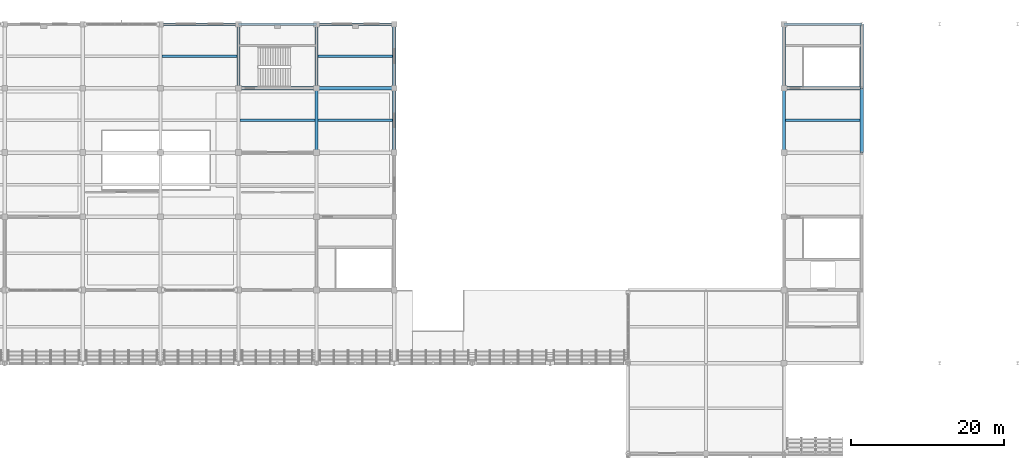
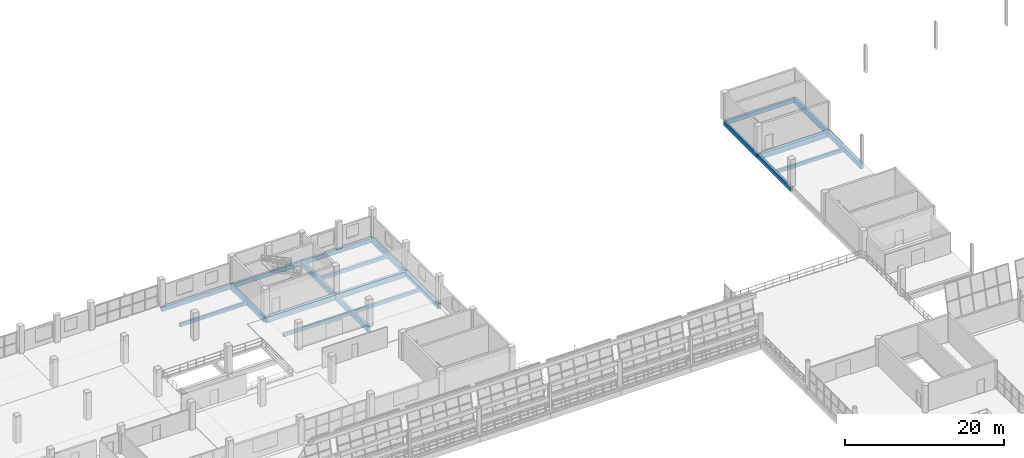
# One storey, part 98 of 157: 21 beams.
"""IFC4 building model written with IfcOpenShell, lengths in metres."""

from ifc_helpers import new_model, si_unit, direction, frame, origin, origin_2d, place, context, subcontext, project, spatial, rectangle, extrude, material, material_profile, profile_set, type_object, element, save


model = new_model("IFC4")

# Units and contexts
model_context = context("Model", 3, precision=1e-05, world=origin(), true_north=direction((0.0, 1.0)))
body_context = subcontext(model_context, "Body", "Model", "MODEL_VIEW")
ifc_project = project(units=[si_unit("LENGTHUNIT", "METRE"), si_unit("AREAUNIT", "SQUARE_METRE"), si_unit("VOLUMEUNIT", "CUBIC_METRE"), si_unit("PLANEANGLEUNIT", "RADIAN"), si_unit("MASSUNIT", "GRAM", prefix="KILO")], contexts=[model_context])

# Site, building, storey
site_placement = place(None, origin())
site = spatial("IfcSite", under=ifc_project, at=site_placement, CompositionType="ELEMENT")
building_placement = place(site_placement, origin())
building = spatial("IfcBuilding", under=site, at=building_placement, Name="Brelvane Convention Centre", CompositionType="ELEMENT")
storey_placement = place(building_placement, frame((0.0, 0.0, 10.800048828125)))
storey = spatial("IfcBuildingStorey", under=building, at=storey_placement, Name="L02", CompositionType="ELEMENT", Elevation=10.800048828125)

# Beams
ifc_material_1 = material(Name="Concrete M40", Category="concrete")
ifc_material_profile_1 = material_profile(ifc_material_1, rectangle(XDim=0.4599609375, YDim=0.840087890625, at=origin_2d()), Name="RC 460x840")
ifc_profile_set_1 = profile_set([ifc_material_profile_1], Name="Concrete M40")
beam_type_1 = type_object("IfcBeamType", Name="RC Beam B-RC11 (RC 460x840)", PredefinedType="BEAM", material=ifc_profile_set_1)
for number, where, z_axis, x_axis, name in (
    (1, (91.800048828125, 135.60009765625, -0.699951171875), (1.0, 0.0, 0.0), (0.0, 1.0, 0.0), "L02 Beam 10-11/P"),
    (2, (102.0, 135.60009765625, -0.699951171875), (1.0, 0.0, 0.0), (0.0, 1.0, 0.0), "L02 Beam 11-12/P"),
    (3, (163.199951171875, 135.60009765625, -0.699951171875), (1.0, 0.0, 0.0), (0.0, 1.0, 0.0), "L02 Beam 17-18/P"),
):
    element("IfcBeam", number, at=place(storey_placement, frame(where, z_axis=z_axis, x_axis=x_axis)), inside=storey, type_object=beam_type_1, Name=name, PredefinedType="BEAM", context=body_context, shape_type="SweptSolid", body=[
        extrude(rectangle(XDim=0.4599609375, YDim=0.840087890625, at=origin_2d()), origin(), (0.0, 0.0, 1.0), 10.199951171875),
    ])
ifc_material_2 = material(Name="Concrete M40", Category="concrete")
ifc_material_profile_2 = material_profile(ifc_material_2, rectangle(XDim=0.419921875, YDim=0.780029296875, at=origin_2d()), Name="RC 420x780")
ifc_profile_set_2 = profile_set([ifc_material_profile_2], Name="Concrete M40")
beam_type_2 = type_object("IfcBeamType", Name="RC Beam B-RC12 (RC 420x780)", PredefinedType="BEAM", material=ifc_profile_set_2)
beam_1_placement = place(storey_placement, frame((91.800048828125, 135.60009765625, -0.670166015625), z_axis=(0.0, 1.0, 0.0), x_axis=(-1.0, 0.0, 0.0)))
element("IfcBeam", 4, at=beam_1_placement, inside=storey, type_object=beam_type_2, Name="L02 Girder 10/P-Q", PredefinedType="BEAM", context=body_context, shape_type="SweptSolid", body=[
    extrude(rectangle(XDim=0.419921875, YDim=0.780029296875, at=origin_2d()), origin(), (0.0, 0.0, 1.0), 8.39990234375),
])
beam_2_placement = place(storey_placement, frame((102.0, 127.199951171875, -0.670166015625), z_axis=(0.0, 1.0, 0.0), x_axis=(-1.0, 0.0, 0.0)))
element("IfcBeam", 5, at=beam_2_placement, inside=storey, type_object=beam_type_2, Name="L02 Girder 11/N-P", PredefinedType="BEAM", context=body_context, shape_type="SweptSolid", body=[
    extrude(rectangle(XDim=0.419921875, YDim=0.780029296875, at=origin_2d()), origin(), (0.0, 0.0, 1.0), 8.400146484375),
])
beam_3_placement = place(storey_placement, frame((102.0, 135.60009765625, -0.670166015625), z_axis=(0.0, 1.0, 0.0), x_axis=(-1.0, 0.0, 0.0)))
element("IfcBeam", 6, at=beam_3_placement, inside=storey, type_object=beam_type_2, Name="L02 Girder 11/P-Q", PredefinedType="BEAM", context=body_context, shape_type="SweptSolid", body=[
    extrude(rectangle(XDim=0.419921875, YDim=0.780029296875, at=origin_2d()), origin(), (0.0, 0.0, 1.0), 8.39990234375),
])
beam_4_placement = place(storey_placement, frame((112.199951171875, 127.199951171875, -0.670166015625), z_axis=(0.0, 1.0, 0.0), x_axis=(-1.0, 0.0, 0.0)))
element("IfcBeam", 7, at=beam_4_placement, inside=storey, type_object=beam_type_2, Name="L02 Girder 12/N-P", PredefinedType="BEAM", context=body_context, shape_type="SweptSolid", body=[
    extrude(rectangle(XDim=0.419921875, YDim=0.780029296875, at=origin_2d()), origin(), (0.0, 0.0, 1.0), 8.400146484375),
])
beam_5_placement = place(storey_placement, frame((112.199951171875, 135.60009765625, -0.670166015625), z_axis=(0.0, 1.0, 0.0), x_axis=(-1.0, 0.0, 0.0)))
element("IfcBeam", 8, at=beam_5_placement, inside=storey, type_object=beam_type_2, Name="L02 Girder 12/P-Q", PredefinedType="BEAM", context=body_context, shape_type="SweptSolid", body=[
    extrude(rectangle(XDim=0.419921875, YDim=0.780029296875, at=origin_2d()), origin(), (0.0, 0.0, 1.0), 8.39990234375),
])
beam_6_placement = place(storey_placement, frame((173.39990234375, 127.199951171875, -0.670166015625), z_axis=(0.0, 1.0, 0.0), x_axis=(-1.0, 0.0, 0.0)))
element("IfcBeam", 9, at=beam_6_placement, inside=storey, type_object=beam_type_2, Name="L02 Girder 18/N-P", PredefinedType="BEAM", context=body_context, shape_type="SweptSolid", body=[
    extrude(rectangle(XDim=0.419921875, YDim=0.780029296875, at=origin_2d()), origin(), (0.0, 0.0, 1.0), 8.400146484375),
])
beam_7_placement = place(storey_placement, frame((173.39990234375, 135.60009765625, -0.670166015625), z_axis=(0.0, 1.0, 0.0), x_axis=(-1.0, 0.0, 0.0)))
element("IfcBeam", 10, at=beam_7_placement, inside=storey, type_object=beam_type_2, Name="L02 Girder 18/P-Q", PredefinedType="BEAM", context=body_context, shape_type="SweptSolid", body=[
    extrude(rectangle(XDim=0.419921875, YDim=0.780029296875, at=origin_2d()), origin(), (0.0, 0.0, 1.0), 8.39990234375),
])
ifc_material_3 = material(Name="Concrete M40", Category="concrete")
ifc_material_profile_3 = material_profile(ifc_material_3, rectangle(XDim=0.320068359375, YDim=0.52001953125, at=origin_2d()), Name="RC 320x520")
ifc_profile_set_3 = profile_set([ifc_material_profile_3], Name="Concrete M40")
beam_type_3 = type_object("IfcBeamType", Name="RC Joist J-RC4 (RC 320x520)", PredefinedType="JOIST", material=ifc_profile_set_3)
for number, where, z_axis, x_axis, name in (
    (11, (81.81005859375, 139.800048828125, -0.5400390625), (1.0, 0.0, 0.0), (0.0, 1.0, 0.0), "L02 Secondary Joist 9-10/PQ"),
    (12, (92.010009765625, 131.39990234375, -0.5400390625), (1.0, 0.0, 0.0), (0.0, 1.0, 0.0), "L02 Secondary Joist 10-11/NP"),
    (13, (102.2099609375, 131.39990234375, -0.5400390625), (1.0, 0.0, 0.0), (0.0, 1.0, 0.0), "L02 Secondary Joist 11-12/NP"),
    (14, (102.2099609375, 139.800048828125, -0.5400390625), (1.0, 0.0, 0.0), (0.0, 1.0, 0.0), "L02 Secondary Joist 11-12/PQ"),
):
    element("IfcBeam", number, at=place(storey_placement, frame(where, z_axis=z_axis, x_axis=x_axis)), inside=storey, type_object=beam_type_3, Name=name, PredefinedType="JOIST", context=body_context, shape_type="SweptSolid", body=[
        extrude(rectangle(XDim=0.320068359375, YDim=0.52001953125, at=origin_2d()), origin(), (0.0, 0.0, 1.0), 9.780029296875),
    ])
beam_8_placement = place(storey_placement, frame((163.3798828125, 131.39990234375, -0.5400390625), z_axis=(1.0, 0.0, 0.0), x_axis=(0.0, 1.0, 0.0)))
element("IfcBeam", 15, at=beam_8_placement, inside=storey, type_object=beam_type_3, Name="L02 Secondary Joist 17-18/NP", PredefinedType="JOIST", context=body_context, shape_type="SweptSolid", body=[
    extrude(rectangle(XDim=0.320068359375, YDim=0.52001953125, at=origin_2d()), origin(), (0.0, 0.0, 1.0), 9.81005859375),
])
ifc_material_4 = material(Name="Concrete M40", Category="concrete")
ifc_material_profile_4 = material_profile(ifc_material_4, rectangle(XDim=0.360107421875, YDim=0.639892578125, at=origin_2d()), Name="RC 360x640")
ifc_profile_set_4 = profile_set([ifc_material_profile_4], Name="Concrete M40")
beam_type_4 = type_object("IfcBeamType", Name="RC Spandrel SP-RC3 (RC 360x640)", PredefinedType="SPANDREL", material=ifc_profile_set_4)
for number, where, z_axis, x_axis, name in (
    (16, (81.60009765625, 144.0, -0.60009765625), (1.0, 0.0, 0.0), (0.0, 1.0, 0.0), "L02 Beam 9-10/Q"),
    (17, (91.800048828125, 144.0, -0.60009765625), (1.0, 0.0, 0.0), (0.0, 1.0, 0.0), "L02 Beam 10-11/Q"),
    (18, (102.0, 144.0, -0.60009765625), (1.0, 0.0, 0.0), (0.0, 1.0, 0.0), "L02 Beam 11-12/Q"),
    (19, (163.199951171875, 144.0, -0.60009765625), (1.0, 0.0, 0.0), (0.0, 1.0, 0.0), "L02 Beam 17-18/Q"),
):
    element("IfcBeam", number, at=place(storey_placement, frame(where, z_axis=z_axis, x_axis=x_axis)), inside=storey, type_object=beam_type_4, Name=name, PredefinedType="SPANDREL", context=body_context, shape_type="SweptSolid", body=[
        extrude(rectangle(XDim=0.360107421875, YDim=0.639892578125, at=origin_2d()), origin(), (0.0, 0.0, 1.0), 10.199951171875),
    ])
beam_9_placement = place(storey_placement, frame((163.199951171875, 127.199951171875, -0.60009765625), z_axis=(0.0, 1.0, 0.0), x_axis=(-1.0, 0.0, 0.0)))
element("IfcBeam", 20, at=beam_9_placement, inside=storey, type_object=beam_type_4, Name="L02 Girder 17/N-P", PredefinedType="SPANDREL", context=body_context, shape_type="SweptSolid", body=[
    extrude(rectangle(XDim=0.360107421875, YDim=0.639892578125, at=origin_2d()), origin(), (0.0, 0.0, 1.0), 8.400146484375),
])
beam_10_placement = place(storey_placement, frame((163.199951171875, 135.60009765625, -0.60009765625), z_axis=(0.0, 1.0, 0.0), x_axis=(-1.0, 0.0, 0.0)))
element("IfcBeam", 21, at=beam_10_placement, inside=storey, type_object=beam_type_4, Name="L02 Girder 17/P-Q", PredefinedType="SPANDREL", context=body_context, shape_type="SweptSolid", body=[
    extrude(rectangle(XDim=0.360107421875, YDim=0.639892578125, at=origin_2d()), origin(), (0.0, 0.0, 1.0), 8.39990234375),
])

save(model, "model.ifc")
